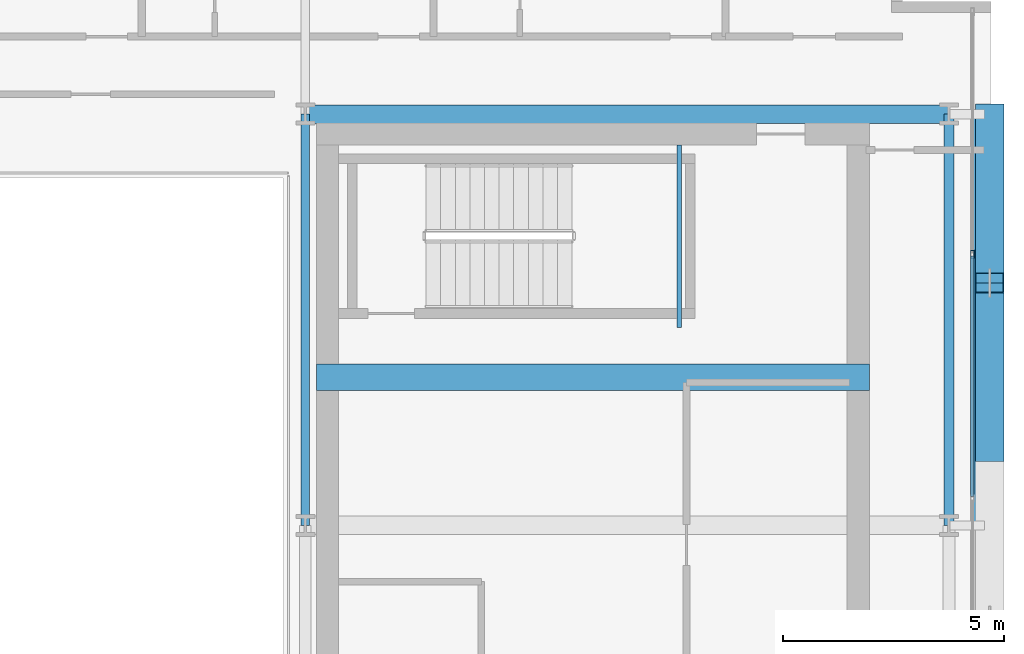
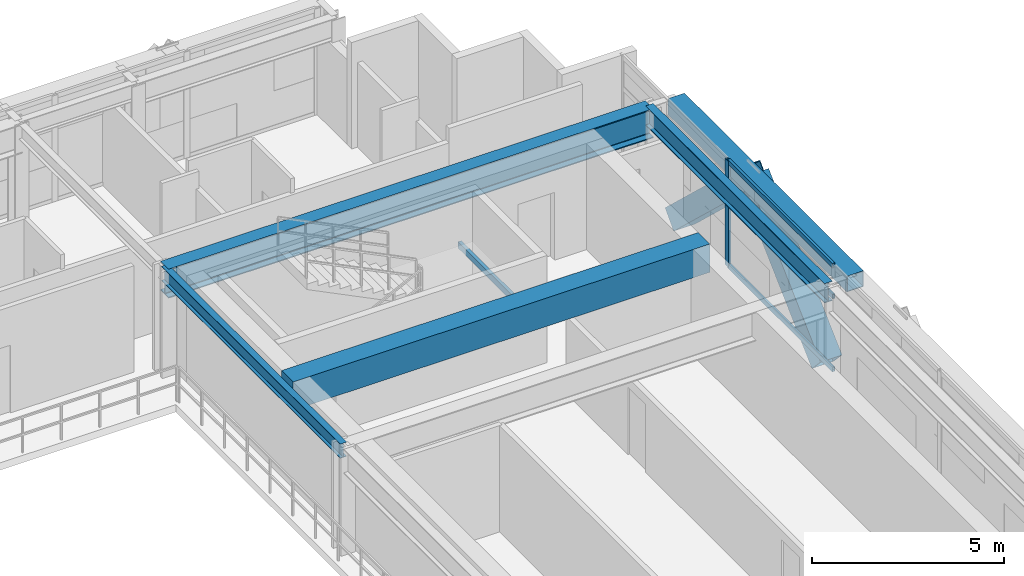
# One storey, part 14 of 31: 6 beams, 6 members, 1 element without a shape of its own.
"""IFC4 building model written with IfcOpenShell, lengths in metres."""

from ifc_helpers import new_model, si_unit, direction, frame, origin, origin_2d, place, context, subcontext, project, spatial, rectangle, hollow_rectangle, i_section, extrude, source, transform, mapped, material, layer, layer_set, material_profile, profile_set, type_object, element, aggregate, save


model = new_model("IFC4")

# Units and contexts
model_context = context("Model", 3, precision=1e-05, world=origin(), true_north=direction((0.0, 1.0)))
body_context = subcontext(model_context, "Body", "Model", "MODEL_VIEW")
ifc_project = project(units=[si_unit("LENGTHUNIT", "METRE"), si_unit("AREAUNIT", "SQUARE_METRE"), si_unit("VOLUMEUNIT", "CUBIC_METRE"), si_unit("PLANEANGLEUNIT", "RADIAN"), si_unit("MASSUNIT", "GRAM", prefix="KILO")], contexts=[model_context])

# Site, building, storey
site_placement = place(None, origin())
site = spatial("IfcSite", under=ifc_project, at=site_placement, CompositionType="ELEMENT")
building_placement = place(site_placement, origin())
building = spatial("IfcBuilding", under=site, at=building_placement, Name="Ocotamira Hotel", CompositionType="ELEMENT")
storey_placement = place(building_placement, frame((0.0, 0.0, 202.800048828125)))
storey = spatial("IfcBuildingStorey", under=building, at=storey_placement, Name="L51", CompositionType="ELEMENT", Elevation=202.800048828125)

# Beams
ifc_material_1 = material(Name="Concrete C50/60", Category="concrete")
ifc_material_profile_1 = material_profile(ifc_material_1, rectangle(XDim=0.60009765625, YDim=0.89990234375, at=origin_2d()), Name="RC600X900")
ifc_profile_set_1 = profile_set([ifc_material_profile_1], Name="Concrete C50/60")
beam_type_1 = type_object("IfcBeamType", Name="BM-LINK-RC600", PredefinedType="LINTEL", material=ifc_profile_set_1)
shared_shape_1 = source(origin(), body_context, "Body", "SweptSolid", [
    extrude(rectangle(XDim=0.60009765625, YDim=0.89990234375, at=origin_2d()), origin(), (0.0, 0.0, 1.0), 12.5),
])
beam_1_placement = place(storey_placement, frame((40.75, 31.5, 2.919921875), z_axis=(1.0, 0.0, 0.0), x_axis=(0.0, 1.0, 0.0)))
element("IfcBeam", 1, at=beam_1_placement, inside=storey, type_object=beam_type_1, Name="L51 East Core Coupling Beam", PredefinedType="LINTEL", context=body_context, shape_type="MappedRepresentation", body=[
    mapped(shared_shape_1, transform((0.0, 0.0, 0.0), scale=1.0)),
])
ifc_material_2 = material(Name="Steel ASTM A500 Grade C", Category="steel")
ifc_material_profile_2 = material_profile(ifc_material_2, hollow_rectangle(XDim=0.10009765625, YDim=0.199951171875, WallThickness=0.008056640625, at=origin_2d()), Name="HSS200X100X8")
ifc_profile_set_2 = profile_set([ifc_material_profile_2], Name="Steel ASTM A500 Grade C")
beam_type_2 = type_object("IfcBeamType", Name="BM-STLDG-HSS200", PredefinedType="BEAM", material=ifc_profile_set_2)
shared_shape_2 = source(origin(), body_context, "Body", "SweptSolid", [
    extrude(hollow_rectangle(XDim=0.10009765625, YDim=0.199951171875, WallThickness=0.008056640625, at=origin_2d()), origin(), (0.0, 0.0, 1.0), 4.1201171875),
])
beam_2_placement = place(storey_placement, frame((48.949951171875, 32.6298828125, 1.5), z_axis=(0.0, 1.0, 0.0), x_axis=(-1.0, 0.0, 0.0)))
element("IfcBeam", 2, at=beam_2_placement, inside=storey, type_object=beam_type_2, Name="L51 Stair ST-4 Landing Bearer 1", PredefinedType="BEAM", context=body_context, shape_type="MappedRepresentation", body=[
    mapped(shared_shape_2, transform((0.0, 0.0, 0.0), scale=1.0)),
])
ifc_material_3 = material(Name="Steel ASTM A992 Grade 50", Category="steel")
ifc_material_profile_3 = material_profile(ifc_material_3, i_section(OverallWidth=0.41796875, OverallDepth=0.927001953125, WebThickness=0.019287109375, FlangeThickness=0.031982421875, FilletRadius=0.02392578125, at=origin_2d()), Name="W36X231")
ifc_profile_set_3 = profile_set([ifc_material_profile_3], Name="Steel ASTM A992 Grade 50")
beam_type_3 = type_object("IfcBeamType", Name="BM-GIRD-W36X231", PredefinedType="BEAM", material=ifc_profile_set_3)
shared_shape_3 = source(origin(), body_context, "Body", "SweptSolid", [
    extrude(i_section(OverallWidth=0.41796875, OverallDepth=0.927001953125, WebThickness=0.019287109375, FlangeThickness=0.031982421875, FilletRadius=0.02392578125, at=origin_2d()), origin(), (0.0, 0.0, 1.0), 14.550048828125),
])
beam_3_placement = place(storey_placement, frame((40.5, 37.449951171875, 2.906494140625), z_axis=(1.0, 0.0, 0.0), x_axis=(0.0, 1.0, 0.0)))
element("IfcBeam", 3, at=beam_3_placement, inside=storey, type_object=beam_type_3, Name="L51 Girder Y37.45 X40.5-55.05", PredefinedType="BEAM", context=body_context, shape_type="MappedRepresentation", body=[
    mapped(shared_shape_3, transform((0.0, 0.0, 0.0), scale=1.0)),
])
ifc_material_profile_4 = material_profile(ifc_material_3, i_section(OverallWidth=0.22998046875, OverallDepth=0.616943359375, WebThickness=0.01318359375, FlangeThickness=0.022216796875, FilletRadius=0.012939453125, at=origin_2d()), Name="W24X94")
ifc_profile_set_4 = profile_set([ifc_material_profile_4], Name="Steel ASTM A992 Grade 50")
beam_type_4 = type_object("IfcBeamType", Name="BM-PRIM-W24X94", PredefinedType="BEAM", material=ifc_profile_set_4)
shared_shape_4 = source(origin(), body_context, "Body", "SweptSolid", [
    extrude(i_section(OverallWidth=0.22998046875, OverallDepth=0.616943359375, WebThickness=0.01318359375, FlangeThickness=0.022216796875, FilletRadius=0.012939453125, at=origin_2d()), origin(), (0.0, 0.0, 1.0), 9.300048828125),
])
beam_4_placement = place(storey_placement, frame((55.050048828125, 28.14990234375, 3.0615234375), z_axis=(0.0, 1.0, 0.0), x_axis=(-1.0, 0.0, 0.0)))
element("IfcBeam", 4, at=beam_4_placement, inside=storey, type_object=beam_type_4, Name="L51 Beam X55.05 Y28.15-37.45", PredefinedType="BEAM", context=body_context, shape_type="MappedRepresentation", body=[
    mapped(shared_shape_4, transform((0.0, 0.0, 0.0), scale=1.0)),
])
ifc_material_profile_5 = material_profile(ifc_material_3, i_section(OverallWidth=0.18994140625, OverallDepth=0.45703125, WebThickness=0.009033203125, FlangeThickness=0.014404296875, FilletRadius=0.010009765625, at=origin_2d()), Name="W18X50")
ifc_profile_set_5 = profile_set([ifc_material_profile_5], Name="Steel ASTM A992 Grade 50")
beam_type_5 = type_object("IfcBeamType", Name="BM-SEC-W18X50", PredefinedType="JOIST", material=ifc_profile_set_5)
shared_shape_5 = source(origin(), body_context, "Body", "SweptSolid", [
    extrude(i_section(OverallWidth=0.18994140625, OverallDepth=0.45703125, WebThickness=0.009033203125, FlangeThickness=0.014404296875, FilletRadius=0.010009765625, at=origin_2d()), origin(), (0.0, 0.0, 1.0), 9.300048828125),
])
beam_5_placement = place(storey_placement, frame((40.5, 28.14990234375, 3.141357421875), z_axis=(0.0, 1.0, 0.0), x_axis=(-1.0, 0.0, 0.0)))
element("IfcBeam", 5, at=beam_5_placement, inside=storey, type_object=beam_type_5, Name="L51 Beam X40.5 Y28.15-37.45", PredefinedType="JOIST", context=body_context, shape_type="MappedRepresentation", body=[
    mapped(shared_shape_5, transform((0.0, 0.0, 0.0), scale=1.0)),
])
ifc_material_profile_6 = material_profile(ifc_material_2, hollow_rectangle(XDim=0.5, YDim=0.5, WallThickness=0.02001953125, at=origin_2d()), Name="HSS500X500X20")
ifc_profile_set_6 = profile_set([ifc_material_profile_6], Name="Steel ASTM A500 Grade C")
beam_type_6 = type_object("IfcBeamType", Name="BM-SPAN-HSS500", PredefinedType="USERDEFINED", material=ifc_profile_set_6)
shared_shape_6 = source(origin(), body_context, "Body", "SweptSolid", [
    extrude(hollow_rectangle(XDim=0.5, YDim=0.5, WallThickness=0.02001953125, at=origin_2d()), origin(), (0.0, 0.0, 1.0), 9.300048828125),
])
beam_6_placement = place(storey_placement, frame((55.85009765625, 28.14990234375, 3.119873046875), z_axis=(0.0, 1.0, 0.0), x_axis=(-1.0, 0.0, 0.0)))
element("IfcBeam", 6, at=beam_6_placement, inside=storey, type_object=beam_type_6, Name="L51 Edge Spandrel E Y28.15-37.45", ObjectType="SPANDREL", PredefinedType="USERDEFINED", context=body_context, shape_type="MappedRepresentation", body=[
    mapped(shared_shape_6, transform((0.0, 0.0, 0.0), scale=1.0)),
])

# Members
ifc_material_4 = material(Name="Pale-metal coated steel ASTM A913 Grade 65", Category="steel")
ifc_material_profile_7 = material_profile(ifc_material_4, hollow_rectangle(XDim=0.64990234375, YDim=0.64990234375, WallThickness=0.02197265625, at=origin_2d()), Name="BOX650X650X22")
ifc_profile_set_7 = profile_set([ifc_material_profile_7], Name="Pale-metal coated steel ASTM A913 Grade 65")
member_type_1 = type_object("IfcMemberType", Name="MEM-EXO-BOX650", PredefinedType="BRACE", material=ifc_profile_set_7)
shared_shape_7 = source(origin(), body_context, "Body", "SweptSolid", [
    extrude(hollow_rectangle(XDim=0.64990234375, YDim=0.64990234375, WallThickness=0.02197265625, at=origin_2d()), origin(), (0.0, 0.0, 1.0), 5.24658203125),
])
for number, where, z_axis, x_axis, name in (
    (7, (55.969970703125, 29.816650390625, -0.47998046875), (0.0, 0.72746596067, 0.686143772154), (-1.0, 0.0, 0.0), "L51 Exoskeleton Diagrid E2.1"),
    (8, (55.969970703125, 37.449951171875, -0.47998046875), (0.0, -0.72746596067, 0.686143772154), (1.0, 0.0, 0.0), "L51 Exoskeleton Diagrid E2.2"),
):
    element("IfcMember", number, at=place(storey_placement, frame(where, z_axis=z_axis, x_axis=x_axis)), inside=storey, type_object=member_type_1, Name=name, PredefinedType="BRACE", context=body_context, shape_type="MappedRepresentation", body=[
        mapped(shared_shape_7, transform((0.0, 0.0, 0.0), scale=1.0)),
    ])

# Curtain wall, members
ifc_material_5 = material(Name="Anodised pale-metal aluminium and solar glass", Category="aluminium")
ifc_layer = layer(ifc_material_5, 0.199951171875)
ifc_layer_set = layer_set([ifc_layer], Name="Anodised pale-metal aluminium and solar glass")
curtain_wall_type = type_object("IfcCurtainWallType", Name="CW-SYS4-Z3", PredefinedType="NOTDEFINED", material=ifc_layer_set)
curtain_wall_placement = place(storey_placement, origin())
curtain_wall = element("IfcCurtainWall", 9, at=curtain_wall_placement, inside=storey, type_object=curtain_wall_type, Name="L51 Curtain Wall CW-4 CW-L51-E", PredefinedType="NOTDEFINED")
ifc_material_6 = material(Name="Anodised pale-metal aluminium 6063-T6", Category="aluminium")
ifc_material_profile_8 = material_profile(ifc_material_6, hollow_rectangle(XDim=0.074951171875, YDim=0.14990234375, WallThickness=0.006103515625, at=origin_2d()), Name="HSS150X75X6")
ifc_profile_set_8 = profile_set([ifc_material_profile_8], Name="Anodised pale-metal aluminium 6063-T6")
member_type_2 = type_object("IfcMemberType", Name="CWT-150X75", PredefinedType="USERDEFINED", material=ifc_profile_set_8)
shared_shape_8 = source(origin(), body_context, "Body", "SweptSolid", [
    extrude(hollow_rectangle(XDim=0.074951171875, YDim=0.14990234375, WallThickness=0.006103515625, at=origin_2d()), origin(), (0.0, 0.0, 1.0), 5.43994140625),
])
member_1_placement = place(storey_placement, frame((55.580078125, 28.800048828125, 0.037353515625), z_axis=(0.0, 1.0, 0.0), x_axis=(-1.0, 0.0, 0.0)))
member_1 = element("IfcMember", 10, at=member_1_placement, type_object=member_type_2, Name="CW-4 transom 4.1", ObjectType="TRANSOM", PredefinedType="USERDEFINED", context=body_context, shape_type="MappedRepresentation", body=[
    mapped(shared_shape_8, transform((0.0, 0.0, 0.0), scale=1.0)),
])
member_2_placement = place(storey_placement, frame((55.580078125, 28.800048828125, 2.349853515625), z_axis=(0.0, 1.0, 0.0), x_axis=(-1.0, 0.0, 0.0)))
member_2 = element("IfcMember", 11, at=member_2_placement, type_object=member_type_2, Name="CW-4 transom 4.2", ObjectType="TRANSOM", PredefinedType="USERDEFINED", context=body_context, shape_type="MappedRepresentation", body=[
    mapped(shared_shape_8, transform((0.0, 0.0, 0.0), scale=1.0)),
])
member_3_placement = place(storey_placement, frame((55.580078125, 28.800048828125, 3.33251953125), z_axis=(0.0, 1.0, 0.0), x_axis=(-1.0, 0.0, 0.0)))
member_3 = element("IfcMember", 12, at=member_3_placement, type_object=member_type_2, Name="CW-4 transom 4.3", ObjectType="TRANSOM", PredefinedType="USERDEFINED", context=body_context, shape_type="MappedRepresentation", body=[
    mapped(shared_shape_8, transform((0.0, 0.0, 0.0), scale=1.0)),
])
ifc_material_profile_9 = material_profile(ifc_material_6, hollow_rectangle(XDim=0.080078125, YDim=0.179931640625, WallThickness=0.006103515625, at=origin_2d()), Name="HSS180X80X6")
ifc_profile_set_9 = profile_set([ifc_material_profile_9], Name="Anodised pale-metal aluminium 6063-T6")
member_type_3 = type_object("IfcMemberType", Name="CWM-180X75", PredefinedType="MULLION", material=ifc_profile_set_9)
shared_shape_9 = source(origin(), body_context, "Body", "SweptSolid", [
    extrude(hollow_rectangle(XDim=0.080078125, YDim=0.179931640625, WallThickness=0.006103515625, at=origin_2d()), origin(), (0.0, 0.0, 1.0), 3.369873046875),
])
member_4_placement = place(storey_placement, frame((55.580078125, 34.280029296875, 0.0), z_axis=(0.0, 0.0, 1.0), x_axis=(-1.0, 0.0, 0.0)))
member_4 = element("IfcMember", 13, at=member_4_placement, type_object=member_type_3, Name="CW-4 mullion 5", PredefinedType="MULLION", context=body_context, shape_type="MappedRepresentation", body=[
    mapped(shared_shape_9, transform((0.0, 0.0, 0.0), scale=1.0)),
])
aggregate(curtain_wall, [member_4, member_1, member_2, member_3])

save(model, "model.ifc")
